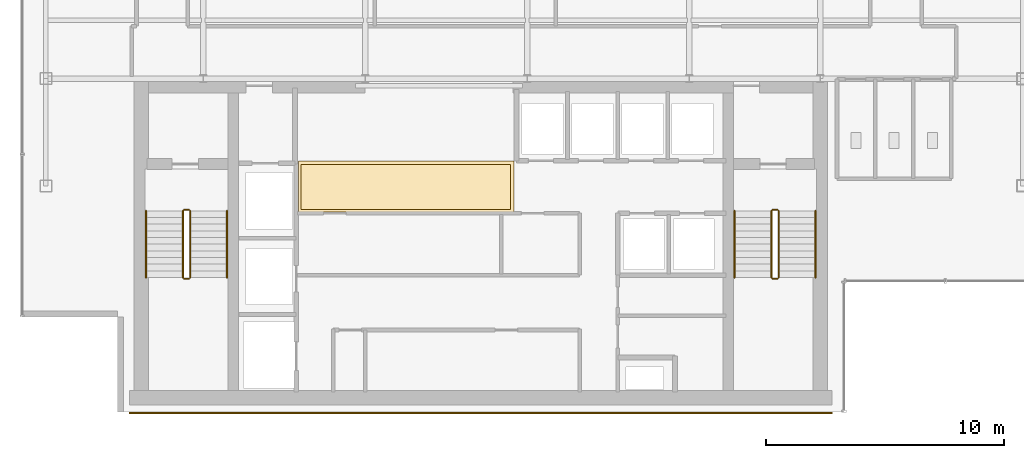
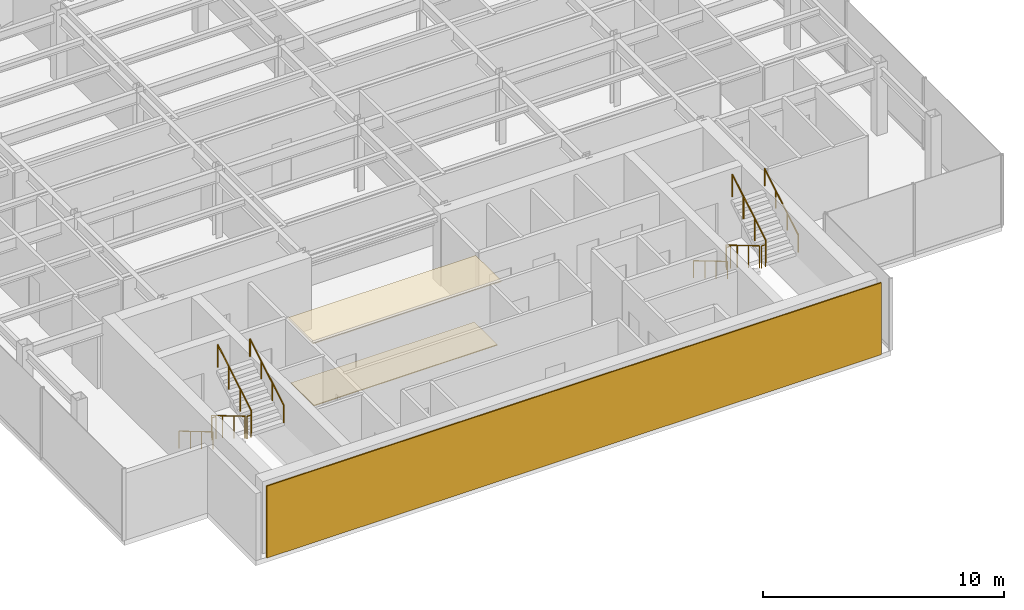
# One storey, part 20 of 22: 12 railings, 3 coverings.
"""IFC4 building model written with IfcOpenShell, lengths in metres."""

import ifcopenshell
import ifcopenshell.guid

model = None  # the IFC model being written
_history = None  # IfcOwnerHistory: only IFC2X3 demands one
_inside = {}  # id of a spatial element -> (the spatial element, [elements in it])
_under = {}  # id of a project, library or spatial element -> (it, [spatial elements below it])
_declared = {}  # id of a project -> (the project, [libraries it declares])
_typed = {}  # id of a type object -> (the type object, [elements of that type])
_made_of = {}  # id of a material, layer set ... -> (it, [elements and type objects made of it])


def new_model(schema):
    """Start an empty IFC model of exactly this schema.

    Asked for "IFC4X3", IfcOpenShell would pick the latest addendum, in which some entities
    have other attributes; the version numbers below select the first issue.
    IFC2X3 requires an IfcOwnerHistory on every rooted entity: one is made here for all.
    """
    global model, _history
    if schema == "IFC4X3":
        model = ifcopenshell.file(schema_version=(4, 3, 0, 0))
    else:
        model = ifcopenshell.file(schema=schema)
    _inside.clear()
    _under.clear()
    _declared.clear()
    _typed.clear()
    _made_of.clear()
    _history = None
    if model.schema == "IFC2X3":
        org = make("IfcOrganization", Name="unknown")
        user = make(
            "IfcPersonAndOrganization",
            ThePerson=make("IfcPerson", FamilyName="unknown"),
            TheOrganization=org,
        )
        app = make(
            "IfcApplication",
            ApplicationDeveloper=org,
            Version="unknown",
            ApplicationFullName="unknown",
            ApplicationIdentifier="unknown",
        )
        _history = make(
            "IfcOwnerHistory",
            OwningUser=user,
            OwningApplication=app,
            ChangeAction="ADDED",
            CreationDate=0,
        )
    return model


def make(cls, **values):
    """One entity of the class cls with the attributes given. An attribute that is None is left unset."""
    return model.create_entity(
        cls, **{name: value for name, value in values.items() if value is not None}
    )


def rooted(cls, **values):
    """An entity with a GlobalId (a new one), such as an element, a storey or a relation."""
    return make(cls, GlobalId=ifcopenshell.guid.new(), OwnerHistory=_history, **values)


def si_unit(unit_type, name, prefix=None):
    """IfcSIUnit, for example si_unit("LENGTHUNIT", "METRE", prefix="MILLI")."""
    return make("IfcSIUnit", UnitType=unit_type, Prefix=prefix, Name=name)


def derived_unit(unit_type, elements):
    """IfcDerivedUnit: a product of units, each with its exponent."""
    return make(
        "IfcDerivedUnit",
        Elements=[
            make("IfcDerivedUnitElement", Unit=unit, Exponent=power)
            for unit, power in elements
        ],
        UnitType=unit_type,
    )


def assignment(units):
    """IfcUnitAssignment: the units of a project."""
    return None if units is None else make("IfcUnitAssignment", Units=units)


def point(xyz):
    """IfcCartesianPoint."""
    return None if xyz is None else make("IfcCartesianPoint", Coordinates=xyz)


def direction(xyz):
    """IfcDirection."""
    return None if xyz is None else make("IfcDirection", DirectionRatios=xyz)


def frame(location, z_axis=None, x_axis=None):
    """IfcAxis2Placement3D, a coordinate frame: its origin and axes. An axis left out is left unset."""
    return make(
        "IfcAxis2Placement3D",
        Location=point(location),
        Axis=direction(z_axis),
        RefDirection=direction(x_axis),
    )


def frame_2d(location, x_axis=None):
    """IfcAxis2Placement2D, a coordinate frame in the plane: its origin and x axis."""
    return make(
        "IfcAxis2Placement2D", Location=point(location), RefDirection=direction(x_axis)
    )


def origin():
    """The frame at (0, 0, 0) with its axes left unset."""
    return frame((0.0, 0.0, 0.0))


def origin_2d():
    """The frame at (0, 0) in the plane with its x axis left unset."""
    return frame_2d((0.0, 0.0))


def place(relative_to, where):
    """IfcLocalPlacement: puts the frame where relative to a parent placement (None: the world)."""
    return make(
        "IfcLocalPlacement", PlacementRelTo=relative_to, RelativePlacement=where
    )


def context(
    kind, dimensions, precision=None, world=None, true_north=None, identifier=None
):
    """IfcGeometricRepresentationContext, for example the 3D "Model" context."""
    return make(
        "IfcGeometricRepresentationContext",
        ContextIdentifier=identifier,
        ContextType=kind,
        CoordinateSpaceDimension=dimensions,
        Precision=precision,
        WorldCoordinateSystem=world,
        TrueNorth=true_north,
    )


def subcontext(parent, identifier, kind, view, scale=None):
    """IfcGeometricRepresentationSubContext, for example "Body" below "Model"."""
    return make(
        "IfcGeometricRepresentationSubContext",
        ContextIdentifier=identifier,
        ContextType=kind,
        ParentContext=parent,
        TargetScale=scale,
        TargetView=view,
    )


def project(units=None, contexts=None):
    """IfcProject with its units and contexts."""
    return rooted(
        "IfcProject",
        Name="project",
        RepresentationContexts=contexts,
        UnitsInContext=assignment(units),
    )


def spatial(cls, under=None, at=None, **own):
    """A site, building, storey or space (cls), placed at a placement, below another one or the project."""
    s = rooted(cls, ObjectPlacement=at, **own)
    if under is not None:
        _under.setdefault(under.id(), (under, []))[1].append(s)
    return s


def polyline(points):
    """IfcPolyline through the points."""
    return make("IfcPolyline", Points=[point(p) for p in points])


def profile(cls, at=None, kind="AREA", **sizes):
    """A parametric profile (cls). Its sizes go by their IFC names, for example OverallWidth=200.0."""
    return make(cls, ProfileType=kind, Position=at, **sizes)


def rectangle(**sizes):
    """IfcRectangleProfileDef."""
    return profile("IfcRectangleProfileDef", **sizes)


def circle(**sizes):
    """IfcCircleProfileDef."""
    return profile("IfcCircleProfileDef", **sizes)


def outline(outer, holes=None, kind="AREA"):
    """IfcArbitraryClosedProfileDef: a profile drawn as a closed curve; with holes, ...WithVoids."""
    if holes is None:
        return make("IfcArbitraryClosedProfileDef", ProfileType=kind, OuterCurve=outer)
    return make(
        "IfcArbitraryProfileDefWithVoids",
        ProfileType=kind,
        OuterCurve=outer,
        InnerCurves=holes,
    )


def extrude(swept, where, along, depth):
    """IfcExtrudedAreaSolid: the profile swept, set in the frame where, extruded along a direction by depth."""
    return make(
        "IfcExtrudedAreaSolid",
        SweptArea=swept,
        Position=where,
        ExtrudedDirection=direction(along),
        Depth=depth,
    )


def shape(context_of_items, identifier, shape_type, items):
    """IfcShapeRepresentation: the items that make up one representation, for example the "Body"."""
    return make(
        "IfcShapeRepresentation",
        ContextOfItems=context_of_items,
        RepresentationIdentifier=identifier,
        RepresentationType=shape_type,
        Items=items,
    )


def source(mapping_origin, context_of_items, identifier, shape_type, items):
    """IfcRepresentationMap: a shape defined once, which mapped items show again and again."""
    return make(
        "IfcRepresentationMap",
        MappingOrigin=mapping_origin,
        MappedRepresentation=shape(context_of_items, identifier, shape_type, items),
    )


def transform(
    local_origin,
    x_axis=None,
    y_axis=None,
    z_axis=None,
    scale=None,
    scale2=None,
    scale3=None,
    uniform=True,
):
    """IfcCartesianTransformationOperator3D, or its non-uniform kind. x_axis, y_axis, z_axis: its Axis1, 2, 3."""
    if uniform:
        return make(
            "IfcCartesianTransformationOperator3D",
            Axis1=direction(x_axis),
            Axis2=direction(y_axis),
            LocalOrigin=point(local_origin),
            Scale=scale,
            Axis3=direction(z_axis),
        )
    return make(
        "IfcCartesianTransformationOperator3DnonUniform",
        Axis1=direction(x_axis),
        Axis2=direction(y_axis),
        LocalOrigin=point(local_origin),
        Scale=scale,
        Axis3=direction(z_axis),
        Scale2=scale2,
        Scale3=scale3,
    )


def mapped(mapping_source, mapping_target):
    """IfcMappedItem: shows the shape of a source again, moved by a transform."""
    return make(
        "IfcMappedItem", MappingSource=mapping_source, MappingTarget=mapping_target
    )


def material(Name=None, Category=None):
    """IfcMaterial."""
    return make("IfcMaterial", Name=Name, Category=Category)


def layer(
    of_material, thickness, ventilated=None, Name=None, Category=None, Priority=None
):
    """IfcMaterialLayer: one layer of a wall or slab, of a material (None: an air gap)."""
    return make(
        "IfcMaterialLayer",
        Material=of_material,
        LayerThickness=thickness,
        IsVentilated=ventilated,
        Name=Name,
        Category=Category,
        Priority=Priority,
    )


def layer_set(layers, Name=None):
    """IfcMaterialLayerSet."""
    return make("IfcMaterialLayerSet", MaterialLayers=layers, LayerSetName=Name)


def made_of(thing, what):
    """Note that an element or type object is made of a material, layer set ...; save() writes the relation."""
    if what is not None:
        _made_of.setdefault(what.id(), (what, []))[1].append(thing)
    return thing


def type_object(cls, material=None, **own):
    """A type object (cls), such as IfcWallType, which elements share."""
    return made_of(rooted(cls, **own), material)


def element(
    cls,
    number,
    at=None,
    inside=None,
    cuts=None,
    type_object=None,
    material=None,
    context=None,
    identifier="Body",
    shape_type=None,
    held_by="IfcProductDefinitionShape",
    body=None,
    shapes=None,
    **own,
):
    """One element of the class cls, such as IfcWall. Its Tag is "e" and its number.

    at: its placement. inside: the storey or other place that contains it. cuts: it is an
    opening in that element (IfcRelVoidsElement). A single representation is given by context,
    identifier, shape_type and body (its items); several are given by shapes. held_by: the class
    of the entity that holds the representations. save() writes the other relations.
    """
    e = rooted(cls, Tag="e%d" % number, ObjectPlacement=at, **own)
    if body is not None:
        shapes = [shape(context, identifier, shape_type, body)]
    if shapes is not None:
        e.Representation = make(held_by, Representations=shapes)
    if inside is not None:
        _inside.setdefault(inside.id(), (inside, []))[1].append(e)
    if cuts is not None:
        rooted(
            "IfcRelVoidsElement", RelatingBuildingElement=cuts, RelatedOpeningElement=e
        )
    if type_object is not None:
        _typed.setdefault(type_object.id(), (type_object, []))[1].append(e)
    return made_of(e, material)


def aggregate(whole, parts):
    """IfcRelAggregates: a whole, such as a stair, and the parts it consists of."""
    return rooted("IfcRelAggregates", RelatingObject=whole, RelatedObjects=parts)


def save(model, path):
    """Write the relations noted so far, then the file.

    IfcRelAggregates (storeys below a building ...), IfcRelContainedInSpatialStructure (elements
    in a storey), IfcRelDefinesByType, IfcRelAssociatesMaterial and IfcRelDeclares: one each for
    every whole, place, type object, material and project.
    """
    for whole, parts in _under.values():
        aggregate(whole, parts)
    for where, things in _inside.values():
        rooted(
            "IfcRelContainedInSpatialStructure",
            RelatedElements=things,
            RelatingStructure=where,
        )
    for kind, things in _typed.values():
        rooted("IfcRelDefinesByType", RelatedObjects=things, RelatingType=kind)
    for what, things in _made_of.values():
        rooted("IfcRelAssociatesMaterial", RelatedObjects=things, RelatingMaterial=what)
    for by, libraries in _declared.values():
        rooted("IfcRelDeclares", RelatingContext=by, RelatedDefinitions=libraries)
    model.write(path)


model = new_model("IFC4")

# Units and contexts
model_context = context("Model", 3, precision=1e-05, world=origin(), true_north=direction((0.0, 1.0)))
body_context = subcontext(model_context, "Body", "Model", "MODEL_VIEW")
ifc_project = project(units=[si_unit("LENGTHUNIT", "METRE"), si_unit("AREAUNIT", "SQUARE_METRE"), si_unit("VOLUMEUNIT", "CUBIC_METRE"), si_unit("PLANEANGLEUNIT", "RADIAN"), si_unit("MASSUNIT", "GRAM", prefix="KILO"), derived_unit("THERMALTRANSMITTANCEUNIT", [(si_unit("POWERUNIT", "WATT"), 1), (si_unit("LENGTHUNIT", "METRE"), -2), (si_unit("THERMODYNAMICTEMPERATUREUNIT", "KELVIN"), -1)])], contexts=[model_context])

# Site, building, storey
site_placement = place(None, origin())
site = spatial("IfcSite", under=ifc_project, at=site_placement, CompositionType="ELEMENT")
building_placement = place(site_placement, origin())
building = spatial("IfcBuilding", under=site, at=building_placement, Name="Skarnbrae Concourse Arena and Tower", CompositionType="ELEMENT")
storey_placement = place(building_placement, frame((0.0, 0.0, 273.39990234375)))
storey = spatial("IfcBuildingStorey", under=building, at=storey_placement, Name="L71", CompositionType="ELEMENT", Elevation=273.39990234375)

# Coverings
ifc_material_1 = material(Name="Mineral fibre acoustic ceiling tile", Category="other")
ifc_layer_1 = layer(ifc_material_1, 0.0400390625)
ifc_layer_set_1 = layer_set([ifc_layer_1], Name="Mineral fibre acoustic ceiling tile")
covering_type_1 = type_object("IfcCoveringType", Name="COV-CEIL-ACOUSTIC", PredefinedType="CEILING", material=ifc_layer_set_1)
covering_1_placement = place(storey_placement, frame((0.0, 0.0, 3.239990234375)))
element("IfcCovering", 1, at=covering_1_placement, inside=storey, type_object=covering_type_1, Name="L71 Lift lobby acoustic ceiling", PredefinedType="CEILING", context=body_context, shape_type="SweptSolid", body=[
    extrude(outline(polyline([(11.60009765625, 8.39990234375), (20.64990234375, 8.39990234375), (20.64990234375, 10.550048828125), (11.60009765625, 10.550048828125), (11.60009765625, 8.39990234375)])), origin(), (0.0, 0.0, 1.0), 0.0400390625),
])
ifc_material_2 = material(Name="Polished granite terrazzo flooring", Category="masonry")
ifc_layer_2 = layer(ifc_material_2, 0.0400390625)
ifc_layer_set_2 = layer_set([ifc_layer_2], Name="Polished granite terrazzo flooring")
covering_type_2 = type_object("IfcCoveringType", Name="COV-FLOOR-TERRAZZO", PredefinedType="FLOORING", material=ifc_layer_set_2)
covering_2_placement = place(storey_placement, origin())
element("IfcCovering", 2, at=covering_2_placement, inside=storey, type_object=covering_type_2, Name="L71 Lift lobby terrazzo flooring", PredefinedType="FLOORING", context=body_context, shape_type="SweptSolid", body=[
    extrude(outline(polyline([(11.699951171875, 8.5), (20.5, 8.5), (20.5, 10.39990234375), (11.699951171875, 10.39990234375), (11.699951171875, 8.5)])), origin(), (0.0, 0.0, 1.0), 0.0400390625),
])

# Railings
ifc_material_3 = material(Name="Steel CSA G40.21 350W", Category="steel")
railing_type_1 = type_object("IfcRailingType", Name="RAIL-HANDRAIL-900", PredefinedType="HANDRAIL", material=ifc_material_3)
railing_1_placement = place(storey_placement, frame((5.199951171875, 8.449951171875, 0.166015625)))
element("IfcRailing", 3, at=railing_1_placement, inside=storey, type_object=railing_type_1, Name="L71 ST-1 stair handrail 1", PredefinedType="HANDRAIL", context=body_context, shape_type="SweptSolid", body=[
    extrude(circle(Radius=0.02392578125, at=origin_2d()), frame((0.0, 0.0, 0.8759765625), z_axis=(0.0, -0.860306154799, 0.50977771628), x_axis=(1.0, 0.0, 0.0)), (0.0, 0.0, 1.0), 3.254638671875),
    extrude(circle(Radius=0.02099609375, at=origin_2d()), origin(), (0.0, 0.0, 1.0), 0.851806640625),
    extrude(circle(Radius=0.02099609375, at=origin_2d()), frame((0.0, -0.933349609375, 0.552978515625)), (0.0, 0.0, 1.0), 0.851806640625),
    extrude(circle(Radius=0.02099609375, at=origin_2d()), frame((0.0, -1.86669921875, 1.106201171875)), (0.0, 0.0, 1.0), 0.851806640625),
    extrude(circle(Radius=0.02099609375, at=origin_2d()), frame((0.0, -2.800048828125, 1.6591796875)), (0.0, 0.0, 1.0), 0.851806640625),
])
railing_2_placement = place(storey_placement, frame((8.60009765625, 5.64990234375, 1.990966796875)))
element("IfcRailing", 4, at=railing_2_placement, inside=storey, type_object=railing_type_1, Name="L71 ST-1 stair handrail 2", PredefinedType="HANDRAIL", context=body_context, shape_type="SweptSolid", body=[
    extrude(circle(Radius=0.02392578125, at=origin_2d()), frame((0.0, 0.0, 0.8759765625), z_axis=(0.0, 0.860306154799, 0.50977771628), x_axis=(-1.0, 0.0, 0.0)), (0.0, 0.0, 1.0), 3.254638671875),
    extrude(circle(Radius=0.02099609375, at=origin_2d()), origin(), (0.0, 0.0, 1.0), 0.851806640625),
    extrude(circle(Radius=0.02099609375, at=origin_2d()), frame((0.0, 0.933349609375, 0.552978515625)), (0.0, 0.0, 1.0), 0.851806640625),
    extrude(circle(Radius=0.02099609375, at=origin_2d()), frame((0.0, 1.86669921875, 1.106201171875)), (0.0, 0.0, 1.0), 0.851806640625),
    extrude(circle(Radius=0.02099609375, at=origin_2d()), frame((0.0, 2.800048828125, 1.6591796875)), (0.0, 0.0, 1.0), 0.851806640625),
])
railing_3_placement = place(storey_placement, frame((29.89990234375, 8.449951171875, 0.166015625)))
element("IfcRailing", 5, at=railing_3_placement, inside=storey, type_object=railing_type_1, Name="L71 ST-2 stair handrail 1", PredefinedType="HANDRAIL", context=body_context, shape_type="SweptSolid", body=[
    extrude(circle(Radius=0.02392578125, at=origin_2d()), frame((0.0, 0.0, 0.8759765625), z_axis=(0.0, -0.860306154799, 0.50977771628), x_axis=(1.0, 0.0, 0.0)), (0.0, 0.0, 1.0), 3.254638671875),
    extrude(circle(Radius=0.02099609375, at=origin_2d()), origin(), (0.0, 0.0, 1.0), 0.851806640625),
    extrude(circle(Radius=0.02099609375, at=origin_2d()), frame((0.0, -0.933349609375, 0.552978515625)), (0.0, 0.0, 1.0), 0.851806640625),
    extrude(circle(Radius=0.02099609375, at=origin_2d()), frame((0.0, -1.86669921875, 1.106201171875)), (0.0, 0.0, 1.0), 0.851806640625),
    extrude(circle(Radius=0.02099609375, at=origin_2d()), frame((0.0, -2.800048828125, 1.6591796875)), (0.0, 0.0, 1.0), 0.851806640625),
])
railing_4_placement = place(storey_placement, frame((33.300048828125, 5.64990234375, 1.990966796875)))
element("IfcRailing", 6, at=railing_4_placement, inside=storey, type_object=railing_type_1, Name="L71 ST-2 stair handrail 2", PredefinedType="HANDRAIL", context=body_context, shape_type="SweptSolid", body=[
    extrude(circle(Radius=0.02392578125, at=origin_2d()), frame((0.0, 0.0, 0.8759765625), z_axis=(0.0, 0.860306154799, 0.50977771628), x_axis=(-1.0, 0.0, 0.0)), (0.0, 0.0, 1.0), 3.254638671875),
    extrude(circle(Radius=0.02099609375, at=origin_2d()), origin(), (0.0, 0.0, 1.0), 0.851806640625),
    extrude(circle(Radius=0.02099609375, at=origin_2d()), frame((0.0, 0.933349609375, 0.552978515625)), (0.0, 0.0, 1.0), 0.851806640625),
    extrude(circle(Radius=0.02099609375, at=origin_2d()), frame((0.0, 1.86669921875, 1.106201171875)), (0.0, 0.0, 1.0), 0.851806640625),
    extrude(circle(Radius=0.02099609375, at=origin_2d()), frame((0.0, 2.800048828125, 1.6591796875)), (0.0, 0.0, 1.0), 0.851806640625),
])
railing_type_2 = type_object("IfcRailingType", Name="RAIL-STAIR-GUARD-1150", PredefinedType="GUARDRAIL", material=ifc_material_3)
railing_5_placement = place(storey_placement, frame((6.75, 8.449951171875, 0.166015625)))
element("IfcRailing", 7, at=railing_5_placement, inside=storey, type_object=railing_type_2, Name="L71 ST-1 stair guard 1", PredefinedType="GUARDRAIL", context=body_context, shape_type="SweptSolid", body=[
    extrude(circle(Radius=0.02392578125, at=origin_2d()), frame((0.0, 0.0, 1.1259765625), z_axis=(0.0, -0.860306154799, 0.50977771628), x_axis=(1.0, 0.0, 0.0)), (0.0, 0.0, 1.0), 3.254638671875),
    extrude(circle(Radius=0.02099609375, at=origin_2d()), origin(), (0.0, 0.0, 1.0), 1.101806640625),
    extrude(circle(Radius=0.02099609375, at=origin_2d()), frame((0.0, -0.933349609375, 0.552978515625)), (0.0, 0.0, 1.0), 1.101806640625),
    extrude(circle(Radius=0.02099609375, at=origin_2d()), frame((0.0, -1.86669921875, 1.106201171875)), (0.0, 0.0, 1.0), 1.101806640625),
    extrude(circle(Radius=0.02099609375, at=origin_2d()), frame((0.0, -2.800048828125, 1.6591796875)), (0.0, 0.0, 1.0), 1.101806640625),
])
railing_6_placement = place(storey_placement, frame((6.800048828125, 5.60009765625, 1.8251953125)))
element("IfcRailing", 8, at=railing_6_placement, inside=storey, type_object=railing_type_2, Name="L71 ST-1 stair guard 2", PredefinedType="GUARDRAIL", context=body_context, shape_type="SweptSolid", body=[
    extrude(circle(Radius=0.02392578125, at=origin_2d()), frame((0.0, 0.0, 1.1259765625), z_axis=(1.0, 0.0, 0.0), x_axis=(0.0, 1.0, 0.0)), (0.0, 0.0, 1.0), 0.199951171875),
    extrude(circle(Radius=0.02099609375, at=origin_2d()), origin(), (0.0, 0.0, 1.0), 1.101806640625),
    extrude(circle(Radius=0.02099609375, at=origin_2d()), frame((0.199951171875, 0.0, 0.0)), (0.0, 0.0, 1.0), 1.101806640625),
])
railing_7_placement = place(storey_placement, frame((7.050048828125, 5.64990234375, 1.990966796875)))
element("IfcRailing", 9, at=railing_7_placement, inside=storey, type_object=railing_type_2, Name="L71 ST-1 stair guard 3", PredefinedType="GUARDRAIL", context=body_context, shape_type="SweptSolid", body=[
    extrude(circle(Radius=0.02392578125, at=origin_2d()), frame((0.0, 0.0, 1.1259765625), z_axis=(0.0, 0.860306154799, 0.50977771628), x_axis=(-1.0, 0.0, 0.0)), (0.0, 0.0, 1.0), 3.254638671875),
    extrude(circle(Radius=0.02099609375, at=origin_2d()), origin(), (0.0, 0.0, 1.0), 1.101806640625),
    extrude(circle(Radius=0.02099609375, at=origin_2d()), frame((0.0, 0.933349609375, 0.552978515625)), (0.0, 0.0, 1.0), 1.101806640625),
    extrude(circle(Radius=0.02099609375, at=origin_2d()), frame((0.0, 1.86669921875, 1.106201171875)), (0.0, 0.0, 1.0), 1.101806640625),
    extrude(circle(Radius=0.02099609375, at=origin_2d()), frame((0.0, 2.800048828125, 1.6591796875)), (0.0, 0.0, 1.0), 1.101806640625),
])
railing_8_placement = place(storey_placement, frame((6.800048828125, 8.5, 0.0)))
element("IfcRailing", 10, at=railing_8_placement, inside=storey, type_object=railing_type_2, Name="L71 ST-1 stair guard 4", PredefinedType="GUARDRAIL", context=body_context, shape_type="SweptSolid", body=[
    extrude(circle(Radius=0.02392578125, at=origin_2d()), frame((0.0, 0.0, 1.1259765625), z_axis=(1.0, 0.0, 0.0), x_axis=(0.0, 1.0, 0.0)), (0.0, 0.0, 1.0), 0.199951171875),
    extrude(circle(Radius=0.02099609375, at=origin_2d()), origin(), (0.0, 0.0, 1.0), 1.101806640625),
    extrude(circle(Radius=0.02099609375, at=origin_2d()), frame((0.199951171875, 0.0, 0.0)), (0.0, 0.0, 1.0), 1.101806640625),
])
railing_9_placement = place(storey_placement, frame((31.449951171875, 8.449951171875, 0.166015625)))
element("IfcRailing", 11, at=railing_9_placement, inside=storey, type_object=railing_type_2, Name="L71 ST-2 stair guard 1", PredefinedType="GUARDRAIL", context=body_context, shape_type="SweptSolid", body=[
    extrude(circle(Radius=0.02392578125, at=origin_2d()), frame((0.0, 0.0, 1.1259765625), z_axis=(0.0, -0.860306154799, 0.50977771628), x_axis=(1.0, 0.0, 0.0)), (0.0, 0.0, 1.0), 3.254638671875),
    extrude(circle(Radius=0.02099609375, at=origin_2d()), origin(), (0.0, 0.0, 1.0), 1.101806640625),
    extrude(circle(Radius=0.02099609375, at=origin_2d()), frame((0.0, -0.933349609375, 0.552978515625)), (0.0, 0.0, 1.0), 1.101806640625),
    extrude(circle(Radius=0.02099609375, at=origin_2d()), frame((0.0, -1.86669921875, 1.106201171875)), (0.0, 0.0, 1.0), 1.101806640625),
    extrude(circle(Radius=0.02099609375, at=origin_2d()), frame((0.0, -2.800048828125, 1.6591796875)), (0.0, 0.0, 1.0), 1.101806640625),
])
railing_10_placement = place(storey_placement, frame((31.5, 5.60009765625, 1.8251953125)))
element("IfcRailing", 12, at=railing_10_placement, inside=storey, type_object=railing_type_2, Name="L71 ST-2 stair guard 2", PredefinedType="GUARDRAIL", context=body_context, shape_type="SweptSolid", body=[
    extrude(circle(Radius=0.02392578125, at=origin_2d()), frame((0.0, 0.0, 1.1259765625), z_axis=(1.0, 0.0, 0.0), x_axis=(0.0, 1.0, 0.0)), (0.0, 0.0, 1.0), 0.199951171875),
    extrude(circle(Radius=0.02099609375, at=origin_2d()), origin(), (0.0, 0.0, 1.0), 1.101806640625),
    extrude(circle(Radius=0.02099609375, at=origin_2d()), frame((0.199951171875, 0.0, 0.0)), (0.0, 0.0, 1.0), 1.101806640625),
])
railing_11_placement = place(storey_placement, frame((31.75, 5.64990234375, 1.990966796875)))
element("IfcRailing", 13, at=railing_11_placement, inside=storey, type_object=railing_type_2, Name="L71 ST-2 stair guard 3", PredefinedType="GUARDRAIL", context=body_context, shape_type="SweptSolid", body=[
    extrude(circle(Radius=0.02392578125, at=origin_2d()), frame((0.0, 0.0, 1.1259765625), z_axis=(0.0, 0.860306154799, 0.50977771628), x_axis=(-1.0, 0.0, 0.0)), (0.0, 0.0, 1.0), 3.254638671875),
    extrude(circle(Radius=0.02099609375, at=origin_2d()), origin(), (0.0, 0.0, 1.0), 1.101806640625),
    extrude(circle(Radius=0.02099609375, at=origin_2d()), frame((0.0, 0.933349609375, 0.552978515625)), (0.0, 0.0, 1.0), 1.101806640625),
    extrude(circle(Radius=0.02099609375, at=origin_2d()), frame((0.0, 1.86669921875, 1.106201171875)), (0.0, 0.0, 1.0), 1.101806640625),
    extrude(circle(Radius=0.02099609375, at=origin_2d()), frame((0.0, 2.800048828125, 1.6591796875)), (0.0, 0.0, 1.0), 1.101806640625),
])
railing_12_placement = place(storey_placement, frame((31.5, 8.5, 0.0)))
element("IfcRailing", 14, at=railing_12_placement, inside=storey, type_object=railing_type_2, Name="L71 ST-2 stair guard 4", PredefinedType="GUARDRAIL", context=body_context, shape_type="SweptSolid", body=[
    extrude(circle(Radius=0.02392578125, at=origin_2d()), frame((0.0, 0.0, 1.1259765625), z_axis=(1.0, 0.0, 0.0), x_axis=(0.0, 1.0, 0.0)), (0.0, 0.0, 1.0), 0.199951171875),
    extrude(circle(Radius=0.02099609375, at=origin_2d()), origin(), (0.0, 0.0, 1.0), 1.101806640625),
    extrude(circle(Radius=0.02099609375, at=origin_2d()), frame((0.199951171875, 0.0, 0.0)), (0.0, 0.0, 1.0), 1.101806640625),
])

# Covering
ifc_material_4 = material(Name="Bronze anodised aluminium 6063-T6", Category="aluminium")
ifc_layer_3 = layer(ifc_material_4, 0.06005859375)
ifc_layer_set_3 = layer_set([ifc_layer_3], Name="Bronze anodised aluminium 6063-T6")
covering_type_3 = type_object("IfcCoveringType", Name="COV-CLAD-BRONZE-60", PredefinedType="CLADDING", material=ifc_layer_set_3)
shared_shape = source(origin(), body_context, "Body", "SweptSolid", [
    extrude(rectangle(XDim=29.5, YDim=0.06005859375, at=origin_2d()), origin(), (0.0, 0.0, 1.0), 3.64990234375),
])
covering_3_placement = place(storey_placement, frame((19.25, -0.030029296875, 0.000244140625), z_axis=(0.0, 0.0, 1.0), x_axis=(1.0, 0.0, 0.0)))
element("IfcCovering", 15, at=covering_3_placement, inside=storey, type_object=covering_type_3, Name="L71 Rear-core plumb spine bronze rainscreen panel", PredefinedType="CLADDING", context=body_context, shape_type="MappedRepresentation", body=[
    mapped(shared_shape, transform((0.0, 0.0, 0.0))),
])

save(model, "model.ifc")
